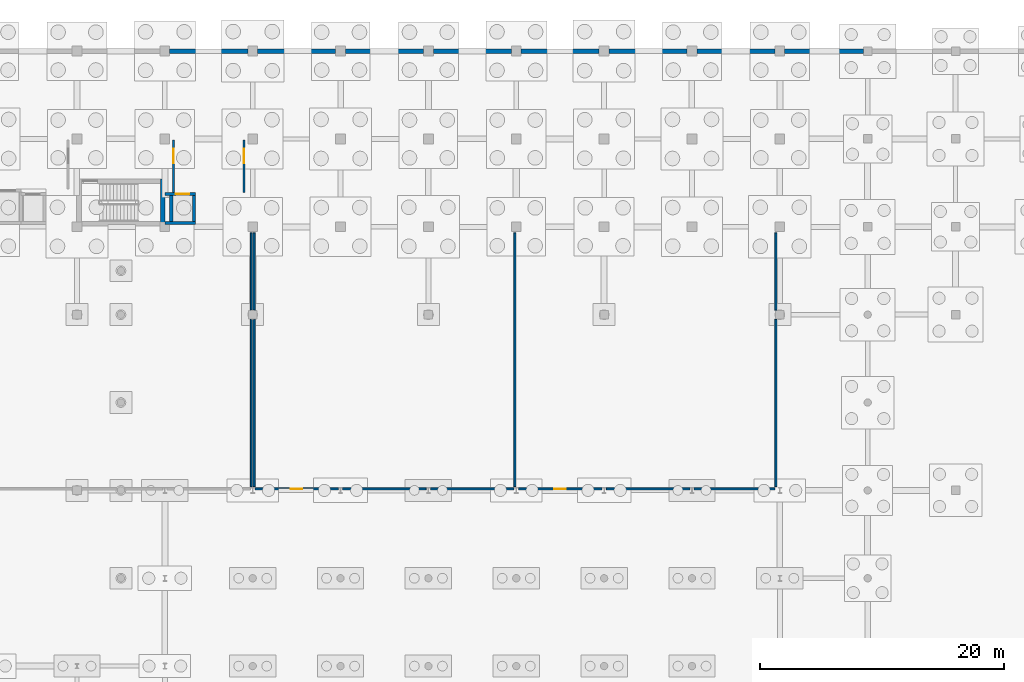
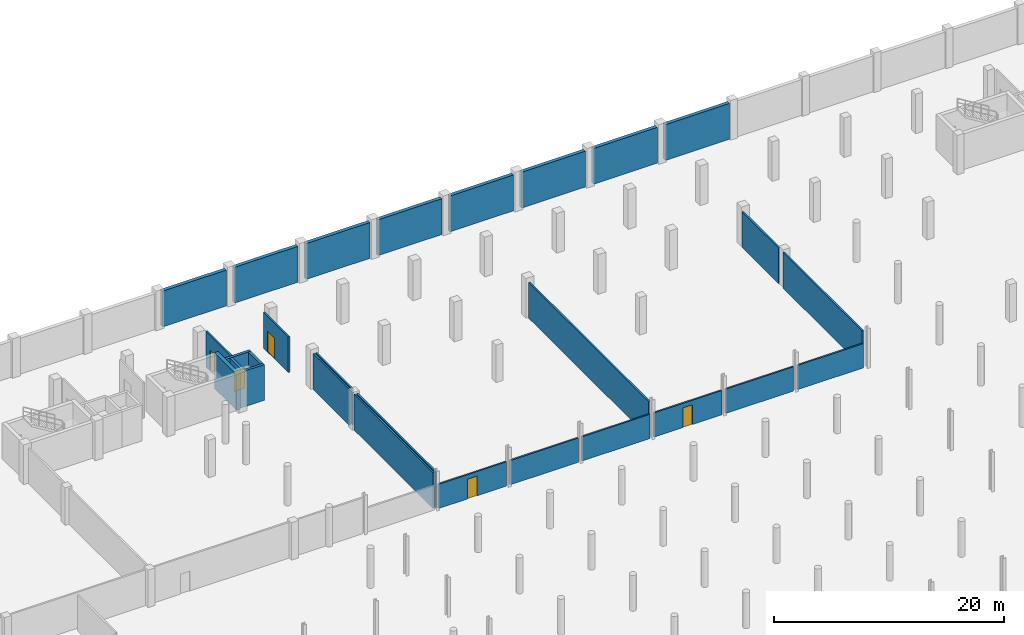
# One storey, part 44 of 56: 28 walls, 5 doors, 5 openings.
"""IFC4 building model written with IfcOpenShell, lengths in metres."""

from ifc_helpers import new_model, si_unit, direction, frame, frame_2d, origin, place, context, subcontext, project, spatial, rectangle, extrude, material, layer, layer_set, type_object, element, fill, save


model = new_model("IFC4")

# Units and contexts
model_context = context("Model", 3, precision=1e-05, world=origin(), true_north=direction((0.0, 1.0)))
body_context = subcontext(model_context, "Body", "Model", "MODEL_VIEW")
ifc_project = project(units=[si_unit("LENGTHUNIT", "METRE"), si_unit("AREAUNIT", "SQUARE_METRE"), si_unit("VOLUMEUNIT", "CUBIC_METRE"), si_unit("PLANEANGLEUNIT", "RADIAN"), si_unit("MASSUNIT", "GRAM", prefix="KILO")], contexts=[model_context])

# Site, building, storey
site_placement = place(None, origin())
site = spatial("IfcSite", under=ifc_project, at=site_placement, CompositionType="ELEMENT")
building_placement = place(site_placement, origin())
building = spatial("IfcBuilding", under=site, at=building_placement, Name="Suanplinth Sawtooth Commons", CompositionType="ELEMENT")
storey_placement = place(building_placement, frame((0.0, 0.0, -4.199951171875)))
storey = spatial("IfcBuildingStorey", under=building, at=storey_placement, Name="B1", CompositionType="ELEMENT", Elevation=-4.199951171875)

# Wall
ifc_material_1 = material(Name="Concrete C40/50", Category="concrete")
ifc_layer_1 = layer(ifc_material_1, 0.3798828125, Name="Lower high-rise RC core shear wall 380mm")
ifc_layer_set_1 = layer_set([ifc_layer_1], Name="Concrete C40/50")
wall_type_1 = type_object("IfcWallType", Name="W-CR01", PredefinedType="SHEAR", material=ifc_layer_set_1)
wall_1_placement = place(storey_placement, frame((64.639892578125, 108.070068359375, 0.0), z_axis=(0.0, 0.0, 1.0), x_axis=(0.0, 1.0, 0.0)))
element("IfcWall", 1, at=wall_1_placement, inside=storey, type_object=wall_type_1, Name="W-B1-C-A2-STE", PredefinedType="SHEAR", context=body_context, shape_type="SweptSolid", body=[
    extrude(rectangle(XDim=3.85986328125, YDim=0.3798828125, at=frame_2d((1.929931640625, 0.0))), origin(), (0.0, 0.0, 1.0), 3.7900390625),
])

# Wall, opening, door
ifc_material_2 = material(Name="Precast concrete C40/50", Category="concrete")
ifc_layer_2 = layer(ifc_material_2, 0.159912109375, Name="Fire-rated corridor and lobby wall 160mm")
ifc_layer_set_2 = layer_set([ifc_layer_2], Name="Precast concrete C40/50")
wall_type_2 = type_object("IfcWallType", Name="W-FW01", PredefinedType="PARTITIONING", material=ifc_layer_set_2)
wall_2_placement = place(storey_placement, frame((65.52001953125, 110.800048828125, 0.0), z_axis=(0.0, 0.0, 1.0), x_axis=(0.0, 1.0, 0.0)))
wall_2 = element("IfcWall", 2, at=wall_2_placement, inside=storey, type_object=wall_type_2, Name="W-B1-C-A2-LOB-W", PredefinedType="PARTITIONING", context=body_context, shape_type="SweptSolid", body=[
    extrude(rectangle(XDim=4.320068359375, YDim=0.159912109375, at=frame_2d((2.16015625, 0.0))), origin(), (0.0, 0.0, 1.0), 3.7900390625),
])
opening_1_placement = place(wall_2_placement, frame((2.39990234375, 0.0, 0.0)))
opening_1 = element("IfcOpeningElement", 3, at=opening_1_placement, cuts=wall_2, Name="Opening FD0087", PredefinedType="OPENING", context=body_context, shape_type="SweptSolid", body=[
    extrude(rectangle(XDim=1.199951171875, YDim=2.199951171875, at=frame_2d((0.60009765625, 1.10009765625))), frame((0.0, 0.0947265625, 0.0), z_axis=(0.0, -1.0, 0.0), x_axis=(1.0, 0.0, 0.0)), (0.0, 0.0, 1.0), 0.189697265625),
])
ifc_material_3 = material(Name="Teak hardwood fire-rated door assembly", Category="wood")
door_type_1 = type_object("IfcDoorType", Name="FD-02", OperationType="NOTDEFINED", PredefinedType="DOOR", material=ifc_material_3)
door_1_placement = place(opening_1_placement, origin())
door_1 = element("IfcDoor", 4, at=door_1_placement, inside=storey, type_object=door_type_1, Name="Lobby Fire Door FD0087", OperationType="SINGLE_SWING_RIGHT", OverallHeight=2.199951171875, OverallWidth=1.199951171875, PredefinedType="DOOR", context=body_context, shape_type="SweptSolid", body=[
    extrude(rectangle(XDim=1.199951171875, YDim=2.199951171875, at=frame_2d((0.60009765625, 1.10009765625))), frame((0.0, 0.02490234375, 0.0), z_axis=(0.0, -1.0, 0.0), x_axis=(1.0, 0.0, 0.0)), (0.0, 0.0, 1.0), 0.050048828125),
])
fill(opening_1, door_1)

wall_3_placement = place(storey_placement, frame((71.280029296875, 110.800048828125, 0.0), z_axis=(0.0, 0.0, 1.0), x_axis=(0.0, 1.0, 0.0)))
wall_3 = element("IfcWall", 5, at=wall_3_placement, inside=storey, type_object=wall_type_2, Name="W-B1-C-A2-LOB-E", PredefinedType="PARTITIONING", context=body_context, shape_type="SweptSolid", body=[
    extrude(rectangle(XDim=4.320068359375, YDim=0.159912109375, at=frame_2d((2.16015625, 0.0))), origin(), (0.0, 0.0, 1.0), 3.7900390625),
])
opening_2_placement = place(wall_3_placement, frame((2.39990234375, 0.0, 0.0)))
opening_2 = element("IfcOpeningElement", 6, at=opening_2_placement, cuts=wall_3, Name="Opening FD0088", PredefinedType="OPENING", context=body_context, shape_type="SweptSolid", body=[
    extrude(rectangle(XDim=1.199951171875, YDim=2.199951171875, at=frame_2d((0.60009765625, 1.10009765625))), frame((0.0, 0.0947265625, 0.0), z_axis=(0.0, -1.0, 0.0), x_axis=(1.0, 0.0, 0.0)), (0.0, 0.0, 1.0), 0.189697265625),
])
door_2_placement = place(opening_2_placement, frame((1.199951171875, 0.0, 0.0), z_axis=(0.0, 0.0, 1.0), x_axis=(-1.0, 0.0, 0.0)))
door_2 = element("IfcDoor", 7, at=door_2_placement, inside=storey, type_object=door_type_1, Name="Lobby Fire Door FD0088", OperationType="SINGLE_SWING_LEFT", OverallHeight=2.199951171875, OverallWidth=1.199951171875, PredefinedType="DOOR", context=body_context, shape_type="SweptSolid", body=[
    extrude(rectangle(XDim=1.199951171875, YDim=2.199951171875, at=frame_2d((0.60009765625, 1.10009765625))), frame((0.0, 0.02490234375, 0.0), z_axis=(0.0, -1.0, 0.0), x_axis=(1.0, 0.0, 0.0)), (0.0, 0.0, 1.0), 0.050048828125),
])
fill(opening_2, door_2)

wall_4_placement = place(storey_placement, frame((72.199951171875, 86.52001953125, 0.0), z_axis=(0.0, 0.0, 1.0), x_axis=(1.0, 0.0, 0.0)))
wall_4 = element("IfcWall", 8, at=wall_4_placement, inside=storey, type_object=wall_type_2, Name="W-B1-CHILL-S-S1", PredefinedType="PARTITIONING", context=body_context, shape_type="SweptSolid", body=[
    extrude(rectangle(XDim=6.820068359375, YDim=0.159912109375, at=frame_2d((3.41015625, 0.0))), origin(), (0.0, 0.0, 1.0), 2.574951171875),
])
opening_3_placement = place(wall_4_placement, frame((2.925048828125, 0.0, 0.0)))
opening_3 = element("IfcOpeningElement", 9, at=opening_3_placement, cuts=wall_4, Name="Opening FD0427", PredefinedType="OPENING", context=body_context, shape_type="SweptSolid", body=[
    extrude(rectangle(XDim=0.949951171875, YDim=2.10009765625, at=frame_2d((0.47509765625, 1.050048828125))), frame((0.0, 0.0947265625, 0.0), z_axis=(0.0, -1.0, 0.0), x_axis=(1.0, 0.0, 0.0)), (0.0, 0.0, 1.0), 0.189697265625),
])
door_type_2 = type_object("IfcDoorType", Name="FD-05", OperationType="NOTDEFINED", PredefinedType="DOOR", material=ifc_material_3)
door_3_placement = place(opening_3_placement, origin())
door_3 = element("IfcDoor", 10, at=door_3_placement, inside=storey, type_object=door_type_2, Name="Basement Door FD0427", OperationType="SINGLE_SWING_RIGHT", OverallHeight=2.10009765625, OverallWidth=0.949951171875, PredefinedType="DOOR", context=body_context, shape_type="SweptSolid", body=[
    extrude(rectangle(XDim=0.949951171875, YDim=2.10009765625, at=frame_2d((0.47509765625, 1.050048828125))), frame((0.0, 0.02490234375, 0.0), z_axis=(0.0, -1.0, 0.0), x_axis=(1.0, 0.0, 0.0)), (0.0, 0.0, 1.0), 0.050048828125),
])
fill(opening_3, door_3)

# Walls
wall_5_placement = place(storey_placement, frame((79.3798828125, 86.52001953125, 0.0), z_axis=(0.0, 0.0, 1.0), x_axis=(1.0, 0.0, 0.0)))
element("IfcWall", 11, at=wall_5_placement, inside=storey, type_object=wall_type_2, Name="W-B1-CHILL-S-S2", PredefinedType="PARTITIONING", context=body_context, shape_type="SweptSolid", body=[
    extrude(rectangle(XDim=6.840087890625, YDim=0.159912109375, at=frame_2d((3.419921875, 0.0))), origin(), (0.0, 0.0, 1.0), 2.574951171875),
])
wall_6_placement = place(storey_placement, frame((86.580078125, 86.52001953125, 0.0), z_axis=(0.0, 0.0, 1.0), x_axis=(1.0, 0.0, 0.0)))
element("IfcWall", 12, at=wall_6_placement, inside=storey, type_object=wall_type_2, Name="W-B1-CHILL-S-S3", PredefinedType="PARTITIONING", context=body_context, shape_type="SweptSolid", body=[
    extrude(rectangle(XDim=6.81982421875, YDim=0.159912109375, at=frame_2d((3.409912109375, 0.0))), origin(), (0.0, 0.0, 1.0), 2.574951171875),
])
wall_7_placement = place(storey_placement, frame((72.1201171875, 86.699951171875, 0.0), z_axis=(0.0, 0.0, 1.0), x_axis=(0.0, 1.0, 0.0)))
element("IfcWall", 13, at=wall_7_placement, inside=storey, type_object=wall_type_2, Name="W-B1-CHILL-W-S1", PredefinedType="PARTITIONING", context=body_context, shape_type="SweptSolid", body=[
    extrude(rectangle(XDim=13.719970703125, YDim=0.159912109375, at=frame_2d((6.85986328125, 0.0))), origin(), (0.0, 0.0, 1.0), 3.7900390625),
])
wall_8_placement = place(storey_placement, frame((72.1201171875, 101.179931640625, 0.0), z_axis=(0.0, 0.0, 1.0), x_axis=(0.0, 1.0, 0.0)))
element("IfcWall", 14, at=wall_8_placement, inside=storey, type_object=wall_type_2, Name="W-B1-CHILL-W-S2", PredefinedType="PARTITIONING", context=body_context, shape_type="SweptSolid", body=[
    extrude(rectangle(XDim=6.320068359375, YDim=0.159912109375, at=frame_2d((3.16015625, 0.0))), origin(), (0.0, 0.0, 1.0), 3.7900390625),
])
wall_9_placement = place(storey_placement, frame((93.47998046875, 86.699951171875, 0.0), z_axis=(0.0, 0.0, 1.0), x_axis=(0.0, 1.0, 0.0)))
element("IfcWall", 15, at=wall_9_placement, inside=storey, type_object=wall_type_2, Name="W-B1-CHILL-E", PredefinedType="PARTITIONING", context=body_context, shape_type="SweptSolid", body=[
    extrude(rectangle(XDim=20.800048828125, YDim=0.159912109375, at=frame_2d((10.39990234375, 0.0))), origin(), (0.0, 0.0, 1.0), 3.7900390625),
])

# Wall, opening, door
wall_10_placement = place(storey_placement, frame((93.800048828125, 86.52001953125, 0.0), z_axis=(0.0, 0.0, 1.0), x_axis=(1.0, 0.0, 0.0)))
wall_10 = element("IfcWall", 16, at=wall_10_placement, inside=storey, type_object=wall_type_2, Name="W-B1-PUMP-S-S1", PredefinedType="PARTITIONING", context=body_context, shape_type="SweptSolid", body=[
    extrude(rectangle(XDim=6.820068359375, YDim=0.159912109375, at=frame_2d((3.41015625, 0.0))), origin(), (0.0, 0.0, 1.0), 2.574951171875),
])
opening_4_placement = place(wall_10_placement, frame((2.925048828125, 0.0, 0.0)))
opening_4 = element("IfcOpeningElement", 17, at=opening_4_placement, cuts=wall_10, Name="Opening FD0428", PredefinedType="OPENING", context=body_context, shape_type="SweptSolid", body=[
    extrude(rectangle(XDim=0.949951171875, YDim=2.10009765625, at=frame_2d((0.47509765625, 1.050048828125))), frame((0.0, 0.0947265625, 0.0), z_axis=(0.0, -1.0, 0.0), x_axis=(1.0, 0.0, 0.0)), (0.0, 0.0, 1.0), 0.189697265625),
])
door_4_placement = place(opening_4_placement, origin())
door_4 = element("IfcDoor", 18, at=door_4_placement, inside=storey, type_object=door_type_2, Name="Basement Door FD0428", OperationType="SINGLE_SWING_LEFT", OverallHeight=2.10009765625, OverallWidth=0.949951171875, PredefinedType="DOOR", context=body_context, shape_type="SweptSolid", body=[
    extrude(rectangle(XDim=0.949951171875, YDim=2.10009765625, at=frame_2d((0.47509765625, 1.050048828125))), frame((0.0, 0.02490234375, 0.0), z_axis=(0.0, -1.0, 0.0), x_axis=(1.0, 0.0, 0.0)), (0.0, 0.0, 1.0), 0.050048828125),
])
fill(opening_4, door_4)

# Walls
wall_11_placement = place(storey_placement, frame((100.97998046875, 86.52001953125, 0.0), z_axis=(0.0, 0.0, 1.0), x_axis=(1.0, 0.0, 0.0)))
element("IfcWall", 19, at=wall_11_placement, inside=storey, type_object=wall_type_2, Name="W-B1-PUMP-S-S2", PredefinedType="PARTITIONING", context=body_context, shape_type="SweptSolid", body=[
    extrude(rectangle(XDim=6.840087890625, YDim=0.159912109375, at=frame_2d((3.419921875, 0.0))), origin(), (0.0, 0.0, 1.0), 2.574951171875),
])
wall_12_placement = place(storey_placement, frame((108.179931640625, 86.52001953125, 0.0), z_axis=(0.0, 0.0, 1.0), x_axis=(1.0, 0.0, 0.0)))
element("IfcWall", 20, at=wall_12_placement, inside=storey, type_object=wall_type_2, Name="W-B1-PUMP-S-S3", PredefinedType="PARTITIONING", context=body_context, shape_type="SweptSolid", body=[
    extrude(rectangle(XDim=6.6201171875, YDim=0.159912109375, at=frame_2d((3.31005859375, 0.0))), origin(), (0.0, 0.0, 1.0), 2.574951171875),
])
wall_13_placement = place(storey_placement, frame((114.8798828125, 86.699951171875, 0.0), z_axis=(0.0, 0.0, 1.0), x_axis=(0.0, 1.0, 0.0)))
element("IfcWall", 21, at=wall_13_placement, inside=storey, type_object=wall_type_2, Name="W-B1-PUMP-E-S1", PredefinedType="PARTITIONING", context=body_context, shape_type="SweptSolid", body=[
    extrude(rectangle(XDim=13.719970703125, YDim=0.159912109375, at=frame_2d((6.85986328125, 0.0))), origin(), (0.0, 0.0, 1.0), 3.7900390625),
])
wall_14_placement = place(storey_placement, frame((114.8798828125, 101.179931640625, 0.0), z_axis=(0.0, 0.0, 1.0), x_axis=(0.0, 1.0, 0.0)))
element("IfcWall", 22, at=wall_14_placement, inside=storey, type_object=wall_type_2, Name="W-B1-PUMP-E-S2", PredefinedType="PARTITIONING", context=body_context, shape_type="SweptSolid", body=[
    extrude(rectangle(XDim=6.320068359375, YDim=0.159912109375, at=frame_2d((3.16015625, 0.0))), origin(), (0.0, 0.0, 1.0), 3.7900390625),
])
wall_15_placement = place(storey_placement, frame((71.8798828125, 86.699951171875, 0.0), z_axis=(0.0, 0.0, 1.0), x_axis=(0.0, 1.0, 0.0)))
element("IfcWall", 23, at=wall_15_placement, inside=storey, type_object=wall_type_2, Name="W-B1-BULK-E-S1", PredefinedType="PARTITIONING", context=body_context, shape_type="SweptSolid", body=[
    extrude(rectangle(XDim=13.719970703125, YDim=0.159912109375, at=frame_2d((6.85986328125, 0.0))), origin(), (0.0, 0.0, 1.0), 3.7900390625),
])
wall_16_placement = place(storey_placement, frame((71.8798828125, 101.179931640625, 0.0), z_axis=(0.0, 0.0, 1.0), x_axis=(0.0, 1.0, 0.0)))
element("IfcWall", 24, at=wall_16_placement, inside=storey, type_object=wall_type_2, Name="W-B1-BULK-E-S2", PredefinedType="PARTITIONING", context=body_context, shape_type="SweptSolid", body=[
    extrude(rectangle(XDim=6.320068359375, YDim=0.159912109375, at=frame_2d((3.16015625, 0.0))), origin(), (0.0, 0.0, 1.0), 3.7900390625),
])
ifc_material_4 = material(Name="Concrete C35/45", Category="concrete")
ifc_layer_3 = layer(ifc_material_4, 0.35009765625, Name="Basement perimeter RC retaining wall 350mm")
ifc_layer_set_3 = layer_set([ifc_layer_3], Name="Concrete C35/45")
wall_type_3 = type_object("IfcWallType", Name="W-RT01", PredefinedType="SOLIDWALL", material=ifc_layer_set_3)
for number, where, z_axis, x_axis, name in (
    (25, (65.199951171875, 122.39990234375, 0.0), (0.0, 0.0, 1.0), (1.0, 0.0, 0.0), "Basement North Retaining Wall Bay 10"),
    (26, (72.39990234375, 122.39990234375, 0.0), (0.0, 0.0, 1.0), (1.0, 0.0, 0.0), "Basement North Retaining Wall Bay 11"),
):
    element("IfcWall", number, at=place(storey_placement, frame(where, z_axis=z_axis, x_axis=x_axis)), inside=storey, type_object=wall_type_3, Name=name, PredefinedType="SOLIDWALL", context=body_context, shape_type="SweptSolid", body=[
        extrude(rectangle(XDim=6.400146484375, YDim=0.35009765625, at=frame_2d((3.2001953125, 0.0))), origin(), (0.0, 0.0, 1.0), 3.800048828125),
    ])
for number, where, z_axis, x_axis, name in (
    (27, (79.60009765625, 122.39990234375, 0.0), (0.0, 0.0, 1.0), (1.0, 0.0, 0.0), "Basement North Retaining Wall Bay 12"),
    (28, (86.800048828125, 122.39990234375, 0.0), (0.0, 0.0, 1.0), (1.0, 0.0, 0.0), "Basement North Retaining Wall Bay 13"),
    (29, (94.0, 122.39990234375, 0.0), (0.0, 0.0, 1.0), (1.0, 0.0, 0.0), "Basement North Retaining Wall Bay 14"),
):
    element("IfcWall", number, at=place(storey_placement, frame(where, z_axis=z_axis, x_axis=x_axis)), inside=storey, type_object=wall_type_3, Name=name, PredefinedType="SOLIDWALL", context=body_context, shape_type="SweptSolid", body=[
        extrude(rectangle(XDim=6.39990234375, YDim=0.35009765625, at=frame_2d((3.199951171875, 0.0))), origin(), (0.0, 0.0, 1.0), 3.800048828125),
    ])
for number, where, z_axis, x_axis, name in (
    (30, (101.199951171875, 122.39990234375, 0.0), (0.0, 0.0, 1.0), (1.0, 0.0, 0.0), "Basement North Retaining Wall Bay 15"),
    (31, (108.39990234375, 122.39990234375, 0.0), (0.0, 0.0, 1.0), (1.0, 0.0, 0.0), "Basement North Retaining Wall Bay 16"),
):
    element("IfcWall", number, at=place(storey_placement, frame(where, z_axis=z_axis, x_axis=x_axis)), inside=storey, type_object=wall_type_3, Name=name, PredefinedType="SOLIDWALL", context=body_context, shape_type="SweptSolid", body=[
        extrude(rectangle(XDim=6.400146484375, YDim=0.35009765625, at=frame_2d((3.2001953125, 0.0))), origin(), (0.0, 0.0, 1.0), 3.800048828125),
    ])
wall_17_placement = place(storey_placement, frame((115.60009765625, 122.39990234375, 0.0), z_axis=(0.0, 0.0, 1.0), x_axis=(1.0, 0.0, 0.0)))
element("IfcWall", 32, at=wall_17_placement, inside=storey, type_object=wall_type_3, Name="Basement North Retaining Wall Bay 17", PredefinedType="SOLIDWALL", context=body_context, shape_type="SweptSolid", body=[
    extrude(rectangle(XDim=6.449951171875, YDim=0.35009765625, at=frame_2d((3.22509765625, 0.0))), origin(), (0.0, 0.0, 1.0), 3.800048828125),
])
ifc_layer_4 = layer(ifc_material_2, 0.25, Name="Precast structural shear wall 250mm")
ifc_layer_set_4 = layer_set([ifc_layer_4], Name="Precast concrete C40/50")
wall_type_4 = type_object("IfcWallType", Name="W-SH01", PredefinedType="SHEAR", material=ifc_layer_set_4)
wall_18_placement = place(storey_placement, frame((64.830078125, 108.324951171875, 0.0), z_axis=(0.0, 0.0, 1.0), x_axis=(1.0, 0.0, 0.0)))
element("IfcWall", 33, at=wall_18_placement, inside=storey, type_object=wall_type_4, Name="W-B1-LF2-S", PredefinedType="SHEAR", context=body_context, shape_type="SweptSolid", body=[
    extrude(rectangle(XDim=2.469970703125, YDim=0.25, at=frame_2d((1.23486328125, 0.0))), origin(), (0.0, 0.0, 1.0), 3.7900390625),
])

# Wall, opening, door
wall_19_placement = place(storey_placement, frame((64.830078125, 110.675048828125, 0.0), z_axis=(0.0, 0.0, 1.0), x_axis=(1.0, 0.0, 0.0)))
wall_19 = element("IfcWall", 34, at=wall_19_placement, inside=storey, type_object=wall_type_4, Name="W-B1-LF2-N", PredefinedType="SHEAR", context=body_context, shape_type="SweptSolid", body=[
    extrude(rectangle(XDim=2.469970703125, YDim=0.25, at=frame_2d((1.23486328125, 0.0))), origin(), (0.0, 0.0, 1.0), 3.7900390625),
])
opening_5_placement = place(wall_19_placement, frame((0.8701171875, 0.0, 0.0)))
opening_5 = element("IfcOpeningElement", 35, at=opening_5_placement, cuts=wall_19, Name="Opening LD0089", PredefinedType="OPENING", context=body_context, shape_type="SweptSolid", body=[
    extrude(rectangle(XDim=1.10009765625, YDim=2.14990234375, at=frame_2d((0.550048828125, 1.074951171875))), frame((0.0, 0.139892578125, 0.0), z_axis=(0.0, -1.0, 0.0), x_axis=(1.0, 0.0, 0.0)), (0.0, 0.0, 1.0), 0.27978515625),
])
ifc_material_5 = material(Name="Stainless steel Grade 304", Category="steel")
door_type_3 = type_object("IfcDoorType", Name="LD-01", OperationType="SLIDING_TO_LEFT", PredefinedType="DOOR", material=ifc_material_5)
door_5_placement = place(opening_5_placement, origin())
door_5 = element("IfcDoor", 36, at=door_5_placement, inside=storey, type_object=door_type_3, Name="Lift Landing Sliding Door LF2 B1", OperationType="SLIDING_TO_LEFT", OverallHeight=2.14990234375, OverallWidth=1.10009765625, PredefinedType="DOOR", context=body_context, shape_type="SweptSolid", body=[
    extrude(rectangle(XDim=1.10009765625, YDim=2.14990234375, at=frame_2d((0.550048828125, 1.074951171875))), frame((0.0, 0.02490234375, 0.0), z_axis=(0.0, -1.0, 0.0), x_axis=(1.0, 0.0, 0.0)), (0.0, 0.0, 1.0), 0.050048828125),
])
fill(opening_5, door_5)

# Walls
for number, where, z_axis, x_axis, name in (
    (37, (65.324951171875, 108.449951171875, 0.0), (0.0, 0.0, 1.0), (0.0, 1.0, 0.0), "W-B1-LF2-W"),
    (38, (67.175048828125, 108.449951171875, 0.0), (0.0, 0.0, 1.0), (0.0, 1.0, 0.0), "W-B1-LF2-E"),
):
    element("IfcWall", number, at=place(storey_placement, frame(where, z_axis=z_axis, x_axis=x_axis)), inside=storey, type_object=wall_type_4, Name=name, PredefinedType="SHEAR", context=body_context, shape_type="SweptSolid", body=[
        extrude(rectangle(XDim=2.10009765625, YDim=0.25, at=frame_2d((1.050048828125, 0.0))), origin(), (0.0, 0.0, 1.0), 3.7900390625),
    ])

save(model, "model.ifc")
